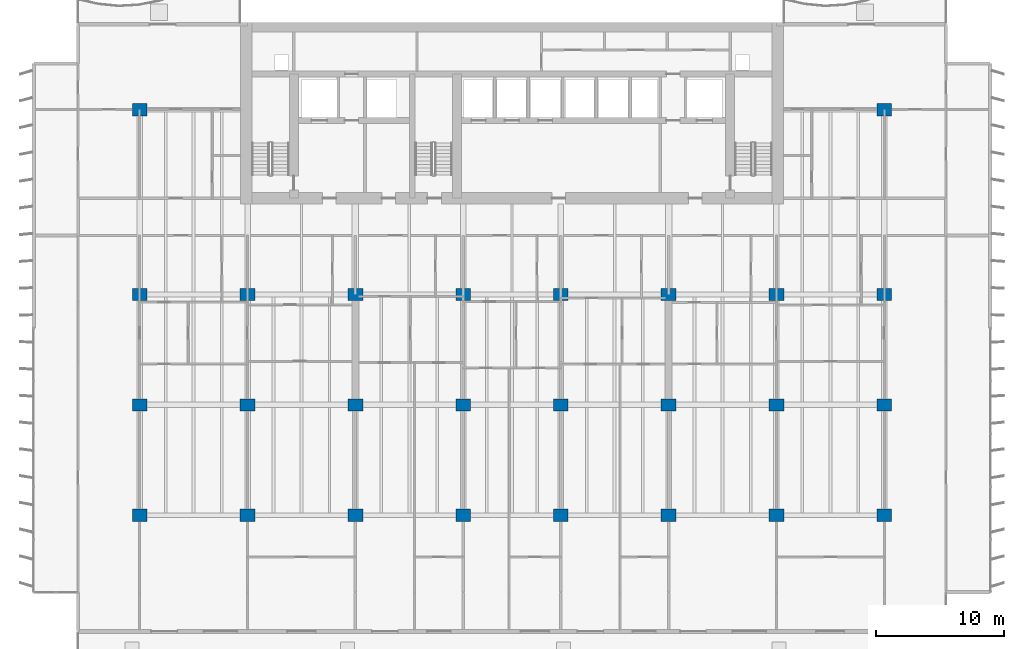
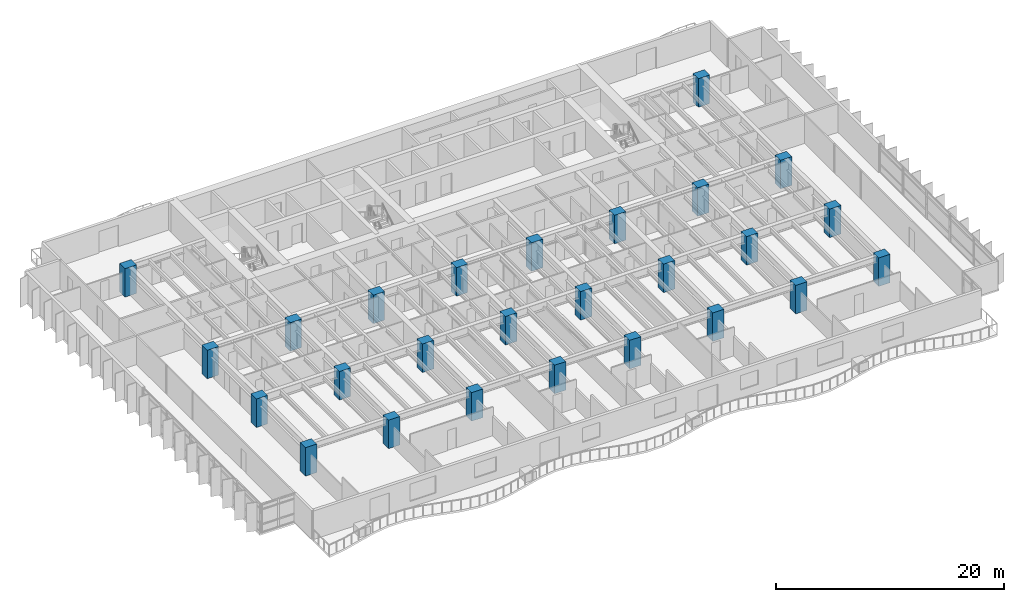
# One storey, part 1 of 18: 26 columns.
"""IFC4 building model written with IfcOpenShell, lengths in metres."""

from ifc_helpers import new_model, si_unit, direction, frame, origin, origin_2d, place, context, subcontext, project, spatial, rectangle, extrude, material, material_profile, profile_set, type_object, element, save


model = new_model("IFC4")

# Units and contexts
model_context = context("Model", 3, precision=1e-05, world=origin(), true_north=direction((0.0, 1.0)))
body_context = subcontext(model_context, "Body", "Model", "MODEL_VIEW")
ifc_project = project(units=[si_unit("LENGTHUNIT", "METRE"), si_unit("AREAUNIT", "SQUARE_METRE"), si_unit("VOLUMEUNIT", "CUBIC_METRE"), si_unit("PLANEANGLEUNIT", "RADIAN"), si_unit("MASSUNIT", "GRAM", prefix="KILO")], contexts=[model_context])

# Site, building, storey
site_placement = place(None, origin())
site = spatial("IfcSite", under=ifc_project, at=site_placement, CompositionType="ELEMENT")
building_placement = place(site_placement, origin())
building = spatial("IfcBuilding", under=site, at=building_placement, Name="Caelmar Bay Residences", CompositionType="ELEMENT")
storey_placement = place(building_placement, frame((0.0, 0.0, 39.89990234375)))
storey = spatial("IfcBuildingStorey", under=building, at=storey_placement, Name="L09", CompositionType="ELEMENT", Elevation=39.89990234375)

# Columns
ifc_material = material(Name="Concrete f'c 70 MPa (10,000 psi)", Category="concrete")
ifc_material_profile = material_profile(ifc_material, rectangle(XDim=1.14990234375, YDim=0.949951171875, at=origin_2d()), Name="RC-COL-1150X950")
ifc_profile_set = profile_set([ifc_material_profile], Name="Concrete f'c 70 MPa (10,000 psi)")
column_type = type_object("IfcColumnType", Name="COL-RC-1150X950", PredefinedType="COLUMN", material=ifc_profile_set)
for number, where, z_axis, x_axis, name in (
    (1, (9.89990234375, 12.199951171875, 0.0), (0.0, 0.0, 1.0), (1.0, 0.0, 0.0), "L09 Column (9.90,12.20)"),
    (2, (18.300048828125, 12.199951171875, 0.0), (0.0, 0.0, 1.0), (1.0, 0.0, 0.0), "L09 Column (18.30,12.20)"),
    (3, (26.699951171875, 12.199951171875, 0.0), (0.0, 0.0, 1.0), (1.0, 0.0, 0.0), "L09 Column (26.70,12.20)"),
    (4, (35.10009765625, 12.199951171875, 0.0), (0.0, 0.0, 1.0), (1.0, 0.0, 0.0), "L09 Column (35.10,12.20)"),
    (5, (42.699951171875, 12.199951171875, 0.0), (0.0, 0.0, 1.0), (1.0, 0.0, 0.0), "L09 Column (42.70,12.20)"),
    (6, (51.10009765625, 12.199951171875, 0.0), (0.0, 0.0, 1.0), (1.0, 0.0, 0.0), "L09 Column (51.10,12.20)"),
    (7, (59.5, 12.199951171875, 0.0), (0.0, 0.0, 1.0), (1.0, 0.0, 0.0), "L09 Column (59.50,12.20)"),
    (8, (67.89990234375, 12.199951171875, 0.0), (0.0, 0.0, 1.0), (1.0, 0.0, 0.0), "L09 Column (67.90,12.20)"),
    (9, (9.89990234375, 20.800048828125, 0.0), (0.0, 0.0, 1.0), (1.0, 0.0, 0.0), "L09 Column (9.90,20.80)"),
    (10, (18.300048828125, 20.800048828125, 0.0), (0.0, 0.0, 1.0), (1.0, 0.0, 0.0), "L09 Column (18.30,20.80)"),
    (11, (26.699951171875, 20.800048828125, 0.0), (0.0, 0.0, 1.0), (1.0, 0.0, 0.0), "L09 Column (26.70,20.80)"),
    (12, (35.10009765625, 20.800048828125, 0.0), (0.0, 0.0, 1.0), (1.0, 0.0, 0.0), "L09 Column (35.10,20.80)"),
    (13, (42.699951171875, 20.800048828125, 0.0), (0.0, 0.0, 1.0), (1.0, 0.0, 0.0), "L09 Column (42.70,20.80)"),
    (14, (51.10009765625, 20.800048828125, 0.0), (0.0, 0.0, 1.0), (1.0, 0.0, 0.0), "L09 Column (51.10,20.80)"),
    (15, (59.5, 20.800048828125, 0.0), (0.0, 0.0, 1.0), (1.0, 0.0, 0.0), "L09 Column (59.50,20.80)"),
    (16, (67.89990234375, 20.800048828125, 0.0), (0.0, 0.0, 1.0), (1.0, 0.0, 0.0), "L09 Column (67.90,20.80)"),
    (17, (9.89990234375, 29.39990234375, 0.0), (0.0, 0.0, 1.0), (1.0, 0.0, 0.0), "L09 Column (9.90,29.40)"),
    (18, (18.300048828125, 29.39990234375, 0.0), (0.0, 0.0, 1.0), (1.0, 0.0, 0.0), "L09 Column (18.30,29.40)"),
    (19, (26.699951171875, 29.39990234375, 0.0), (0.0, 0.0, 1.0), (1.0, 0.0, 0.0), "L09 Column (26.70,29.40)"),
    (20, (35.10009765625, 29.39990234375, 0.0), (0.0, 0.0, 1.0), (1.0, 0.0, 0.0), "L09 Column (35.10,29.40)"),
    (21, (42.699951171875, 29.39990234375, 0.0), (0.0, 0.0, 1.0), (1.0, 0.0, 0.0), "L09 Column (42.70,29.40)"),
    (22, (51.10009765625, 29.39990234375, 0.0), (0.0, 0.0, 1.0), (1.0, 0.0, 0.0), "L09 Column (51.10,29.40)"),
    (23, (59.5, 29.39990234375, 0.0), (0.0, 0.0, 1.0), (1.0, 0.0, 0.0), "L09 Column (59.50,29.40)"),
    (24, (67.89990234375, 29.39990234375, 0.0), (0.0, 0.0, 1.0), (1.0, 0.0, 0.0), "L09 Column (67.90,29.40)"),
    (25, (9.89990234375, 43.800048828125, 0.0), (0.0, 0.0, 1.0), (1.0, 0.0, 0.0), "L09 Column (9.90,43.80)"),
    (26, (67.89990234375, 43.800048828125, 0.0), (0.0, 0.0, 1.0), (1.0, 0.0, 0.0), "L09 Column (67.90,43.80)"),
):
    element("IfcColumn", number, at=place(storey_placement, frame(where, z_axis=z_axis, x_axis=x_axis)), inside=storey, type_object=column_type, Name=name, PredefinedType="COLUMN", context=body_context, shape_type="SweptSolid", body=[
        extrude(rectangle(XDim=1.14990234375, YDim=0.949951171875, at=origin_2d()), origin(), (0.0, 0.0, 1.0), 3.050048828125),
    ])

save(model, "model.ifc")
